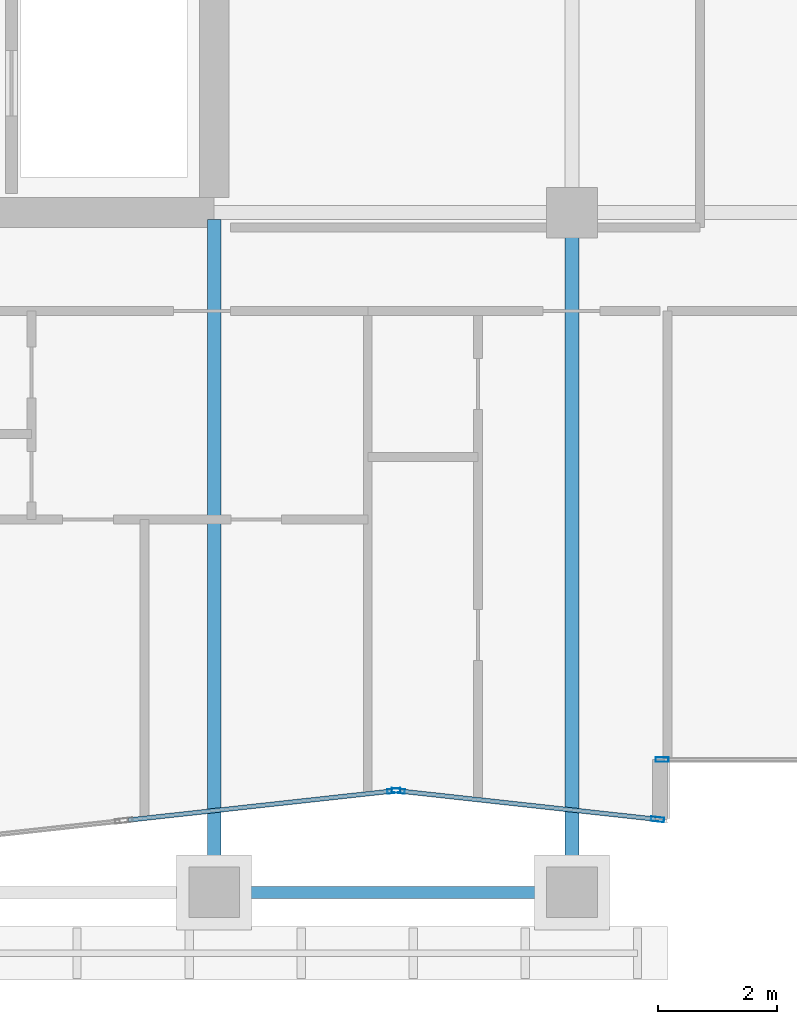
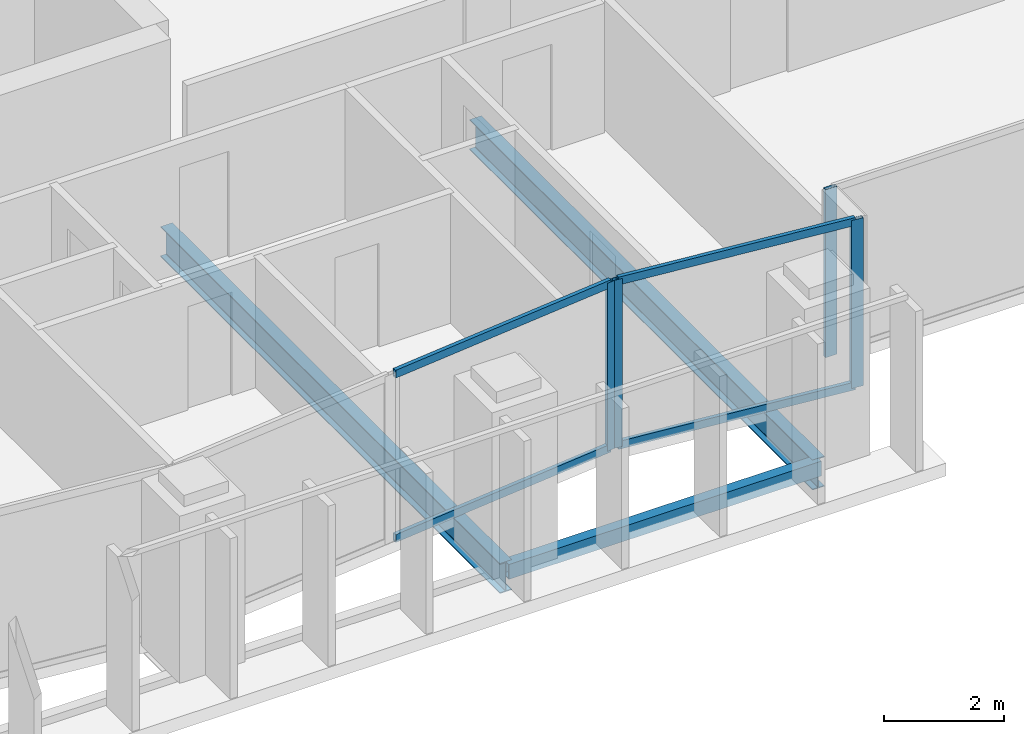
# One storey, part 3 of 29: 8 members, 3 beams, 3 elements without a shape of their own.
"""IFC4 building model written with IfcOpenShell, lengths in metres."""

from ifc_helpers import new_model, si_unit, direction, frame, origin, origin_2d, place, context, subcontext, project, spatial, hollow_rectangle, i_section, extrude, material, layer, layer_set, material_profile, profile_set, type_object, element, aggregate, save


model = new_model("IFC4")

# Units and contexts
model_context = context("Model", 3, precision=1e-05, world=origin(), true_north=direction((0.0, 1.0)))
body_context = subcontext(model_context, "Body", "Model", "MODEL_VIEW")
ifc_project = project(units=[si_unit("LENGTHUNIT", "METRE"), si_unit("AREAUNIT", "SQUARE_METRE"), si_unit("VOLUMEUNIT", "CUBIC_METRE"), si_unit("PLANEANGLEUNIT", "RADIAN"), si_unit("MASSUNIT", "GRAM", prefix="KILO")], contexts=[model_context])

# Site, building, storey
site_placement = place(None, origin())
site = spatial("IfcSite", under=ifc_project, at=site_placement, CompositionType="ELEMENT")
building_placement = place(site_placement, origin())
building = spatial("IfcBuilding", under=site, at=building_placement, Name="Tanjung Sevakor Pilgrim Tower", CompositionType="ELEMENT")
storey_placement = place(building_placement, frame((0.0, 0.0, 162.030029296875)))
storey = spatial("IfcBuildingStorey", under=building, at=storey_placement, Name="L45", CompositionType="ELEMENT", Elevation=162.030029296875)

# Beams
ifc_material_1 = material(Name="Steel S355J2", Category="steel")
ifc_material_profile_1 = material_profile(ifc_material_1, i_section(OverallWidth=0.22900390625, OverallDepth=0.6123046875, WebThickness=0.011962890625, FlangeThickness=0.01953125, FilletRadius=0.0126953125, at=origin_2d()))
ifc_profile_set_1 = profile_set([ifc_material_profile_1], Name="Steel S355J2")
beam_type_1 = type_object("IfcBeamType", Name="BM-B-G4-UB_610x229x125", PredefinedType="BEAM", material=ifc_profile_set_1)
beam_1_placement = place(storey_placement, frame((36.0, 13.199951171875, -0.526123046875), z_axis=(0.0, 1.0, 0.0), x_axis=(-1.0, 0.0, 0.0)))
element("IfcBeam", 1, at=beam_1_placement, inside=storey, type_object=beam_type_1, Name="L45 MAIN Girder 005", PredefinedType="BEAM", context=body_context, shape_type="SweptSolid", body=[
    extrude(i_section(OverallWidth=0.22900390625, OverallDepth=0.6123046875, WebThickness=0.011962890625, FlangeThickness=0.01953125, FilletRadius=0.0126953125, at=origin_2d()), origin(), (0.0, 0.0, 1.0), 11.284912109375),
])
beam_2_placement = place(storey_placement, frame((42.0, 13.199951171875, -0.526123046875), z_axis=(0.0, 1.0, 0.0), x_axis=(-1.0, 0.0, 0.0)))
element("IfcBeam", 2, at=beam_2_placement, inside=storey, type_object=beam_type_1, Name="L45 MAIN Girder 007", PredefinedType="BEAM", context=body_context, shape_type="SweptSolid", body=[
    extrude(i_section(OverallWidth=0.22900390625, OverallDepth=0.6123046875, WebThickness=0.011962890625, FlangeThickness=0.01953125, FilletRadius=0.0126953125, at=origin_2d()), origin(), (0.0, 0.0, 1.0), 11.400146484375),
])
ifc_material_2 = material(Name="Steel S355J2", Category="steel")
ifc_material_profile_2 = material_profile(ifc_material_2, hollow_rectangle(XDim=0.199951171875, YDim=0.300048828125, WallThickness=0.012451171875, at=origin_2d()))
ifc_profile_set_2 = profile_set([ifc_material_profile_2], Name="Steel S355J2")
beam_type_2 = type_object("IfcBeamType", Name="BM-B-SP3-RHS_300x200x12.5", PredefinedType="SPANDREL", material=ifc_profile_set_2)
beam_3_placement = place(storey_placement, frame((36.0, 13.199951171875, -0.3701171875), z_axis=(1.0, 0.0, 0.0), x_axis=(0.0, 1.0, 0.0)))
element("IfcBeam", 3, at=beam_3_placement, inside=storey, type_object=beam_type_2, Name="L45 Spandrel MAIN S-05", PredefinedType="SPANDREL", context=body_context, shape_type="SweptSolid", body=[
    extrude(hollow_rectangle(XDim=0.199951171875, YDim=0.300048828125, WallThickness=0.012451171875, at=origin_2d()), origin(), (0.0, 0.0, 1.0), 6.0),
])

# Curtain wall, member
ifc_material_3 = material(Name="Aluminium 6063-T6 and Low-E Glass", Category="aluminium")
ifc_layer_1 = layer(ifc_material_3, 0.199951171875)
ifc_layer_set_1 = layer_set([ifc_layer_1], Name="CW-SYS-PRAY")
curtain_wall_type_1 = type_object("IfcCurtainWallType", Name="CW-SYS-PRAY", PredefinedType="NOTDEFINED", material=ifc_layer_set_1)
curtain_wall_1_placement = place(storey_placement, origin())
curtain_wall_1 = element("IfcCurtainWall", 4, at=curtain_wall_1_placement, inside=storey, type_object=curtain_wall_type_1, Name="L45 Curtain Wall CW-PRY-L45-4", PredefinedType="NOTDEFINED")
ifc_material_4 = material(Name="Aluminium 6063-T6", Category="aluminium")
ifc_material_profile_3 = material_profile(ifc_material_4, hollow_rectangle(XDim=0.074951171875, YDim=0.219970703125, WallThickness=0.0048828125, at=origin_2d()))
ifc_profile_set_3 = profile_set([ifc_material_profile_3], Name="Aluminium 6063-T6")
member_type_1 = type_object("IfcMemberType", Name="TYPE-CWM-2", PredefinedType="MULLION", material=ifc_profile_set_3)
member_1_placement = place(storey_placement, frame((39.0126953125, 14.901611328125, 0.0), z_axis=(0.0, 0.0, 1.0), x_axis=(-0.109231369397, 0.994016351948, 0.0)))
member_1 = element("IfcMember", 5, at=member_1_placement, type_object=member_type_1, Name="CW-PRY mullion 2", PredefinedType="MULLION", context=body_context, shape_type="SweptSolid", body=[
    extrude(hollow_rectangle(XDim=0.074951171875, YDim=0.219970703125, WallThickness=0.0048828125, at=origin_2d()), origin(), (0.0, 0.0, 1.0), 3.409912109375),
])

# Curtain wall, members
curtain_wall_2_placement = place(storey_placement, origin())
curtain_wall_2 = element("IfcCurtainWall", 6, at=curtain_wall_2_placement, inside=storey, type_object=curtain_wall_type_1, Name="L45 Curtain Wall CW-PRY-L45-5", PredefinedType="NOTDEFINED")
member_2_placement = place(storey_placement, frame((39.087158203125, 14.901611328125, 0.0), z_axis=(0.0, 0.0, 1.0), x_axis=(0.109240600824, 0.994015337473, 0.0)))
member_2 = element("IfcMember", 7, at=member_2_placement, type_object=member_type_1, Name="CW-PRY mullion 1", PredefinedType="MULLION", context=body_context, shape_type="SweptSolid", body=[
    extrude(hollow_rectangle(XDim=0.074951171875, YDim=0.219970703125, WallThickness=0.0048828125, at=origin_2d()), origin(), (0.0, 0.0, 1.0), 3.409912109375),
])
member_3_placement = place(storey_placement, frame((43.437744140625, 14.423583984375, 0.0), z_axis=(0.0, 0.0, 1.0), x_axis=(0.109240600824, 0.994015337473, 0.0)))
member_3 = element("IfcMember", 8, at=member_3_placement, type_object=member_type_1, Name="CW-PRY mullion 2", PredefinedType="MULLION", context=body_context, shape_type="SweptSolid", body=[
    extrude(hollow_rectangle(XDim=0.074951171875, YDim=0.219970703125, WallThickness=0.0048828125, at=origin_2d()), origin(), (0.0, 0.0, 1.0), 3.409912109375),
])

# Curtain wall, member
ifc_material_5 = material(Name="Aluminium 6063-T6 and Low-E Glass", Category="aluminium")
ifc_layer_2 = layer(ifc_material_5, 0.179931640625)
ifc_layer_set_2 = layer_set([ifc_layer_2], Name="CW-SYS-CLEFT")
curtain_wall_type_2 = type_object("IfcCurtainWallType", Name="CW-SYS-CLEFT", PredefinedType="NOTDEFINED", material=ifc_layer_set_2)
curtain_wall_3_placement = place(storey_placement, origin())
curtain_wall_3 = element("IfcCurtainWall", 9, at=curtain_wall_3_placement, inside=storey, type_object=curtain_wall_type_2, Name="L45 Curtain Wall CW-CLF-L45-7", PredefinedType="NOTDEFINED")
member_4_placement = place(storey_placement, frame((43.512451171875, 15.425048828125, 0.0), z_axis=(0.0, 0.0, 1.0), x_axis=(0.0, 1.0, 0.0)))
member_4 = element("IfcMember", 10, at=member_4_placement, type_object=member_type_1, Name="CW-CLF mullion 1", PredefinedType="MULLION", context=body_context, shape_type="SweptSolid", body=[
    extrude(hollow_rectangle(XDim=0.074951171875, YDim=0.219970703125, WallThickness=0.0048828125, at=origin_2d()), origin(), (0.0, 0.0, 1.0), 3.409912109375),
])
aggregate(curtain_wall_3, [member_4])

# Member
ifc_material_6 = material(Name="Aluminium 6063-T6", Category="aluminium")
ifc_material_profile_4 = material_profile(ifc_material_6, hollow_rectangle(XDim=0.074951171875, YDim=0.159912109375, WallThickness=0.00439453125, at=origin_2d()))
ifc_profile_set_4 = profile_set([ifc_material_profile_4], Name="Aluminium 6063-T6")
member_type_2 = type_object("IfcMemberType", Name="TYPE-CWT-2", PredefinedType="USERDEFINED", material=ifc_profile_set_4)
member_5_placement = place(storey_placement, frame((34.560791015625, 14.41259765625, 0.037353515625), z_axis=(0.994016418781, 0.109230761206, 0.0), x_axis=(-0.109230761206, 0.994016418781, 0.0)))
member_5 = element("IfcMember", 11, at=member_5_placement, type_object=member_type_2, Name="CW-PRY transom 1.1", ObjectType="TRANSOM", PredefinedType="USERDEFINED", context=body_context, shape_type="SweptSolid", body=[
    extrude(hollow_rectangle(XDim=0.074951171875, YDim=0.159912109375, WallThickness=0.00439453125, at=origin_2d()), origin(), (0.0, 0.0, 1.0), 4.441162109375),
])

member_6_placement = place(storey_placement, frame((34.560791015625, 14.41259765625, 3.37255859375), z_axis=(0.994016418781, 0.109230761206, 0.0), x_axis=(-0.109230761206, 0.994016418781, 0.0)))
member_6 = element("IfcMember", 12, at=member_6_placement, type_object=member_type_2, Name="CW-PRY transom 1.2", ObjectType="TRANSOM", PredefinedType="USERDEFINED", context=body_context, shape_type="SweptSolid", body=[
    extrude(hollow_rectangle(XDim=0.074951171875, YDim=0.159912109375, WallThickness=0.00439453125, at=origin_2d()), origin(), (0.0, 0.0, 1.0), 4.441162109375),
])

aggregate(curtain_wall_1, [member_1, member_5, member_6])

member_7_placement = place(storey_placement, frame((39.12451171875, 14.897705078125, 0.037353515625), z_axis=(0.994013851604, -0.10925412038, 0.0), x_axis=(0.10925412038, 0.994013851604, 0.0)))
member_7 = element("IfcMember", 13, at=member_7_placement, type_object=member_type_2, Name="CW-PRY transom 1.1", ObjectType="TRANSOM", PredefinedType="USERDEFINED", context=body_context, shape_type="SweptSolid", body=[
    extrude(hollow_rectangle(XDim=0.074951171875, YDim=0.159912109375, WallThickness=0.00439453125, at=origin_2d()), origin(), (0.0, 0.0, 1.0), 4.301513671875),
])

member_8_placement = place(storey_placement, frame((39.12451171875, 14.897705078125, 3.37255859375), z_axis=(0.994013851604, -0.10925412038, 0.0), x_axis=(0.10925412038, 0.994013851604, 0.0)))
member_8 = element("IfcMember", 14, at=member_8_placement, type_object=member_type_2, Name="CW-PRY transom 1.2", ObjectType="TRANSOM", PredefinedType="USERDEFINED", context=body_context, shape_type="SweptSolid", body=[
    extrude(hollow_rectangle(XDim=0.074951171875, YDim=0.159912109375, WallThickness=0.00439453125, at=origin_2d()), origin(), (0.0, 0.0, 1.0), 4.301513671875),
])

aggregate(curtain_wall_2, [member_2, member_3, member_7, member_8])

save(model, "model.ifc")
